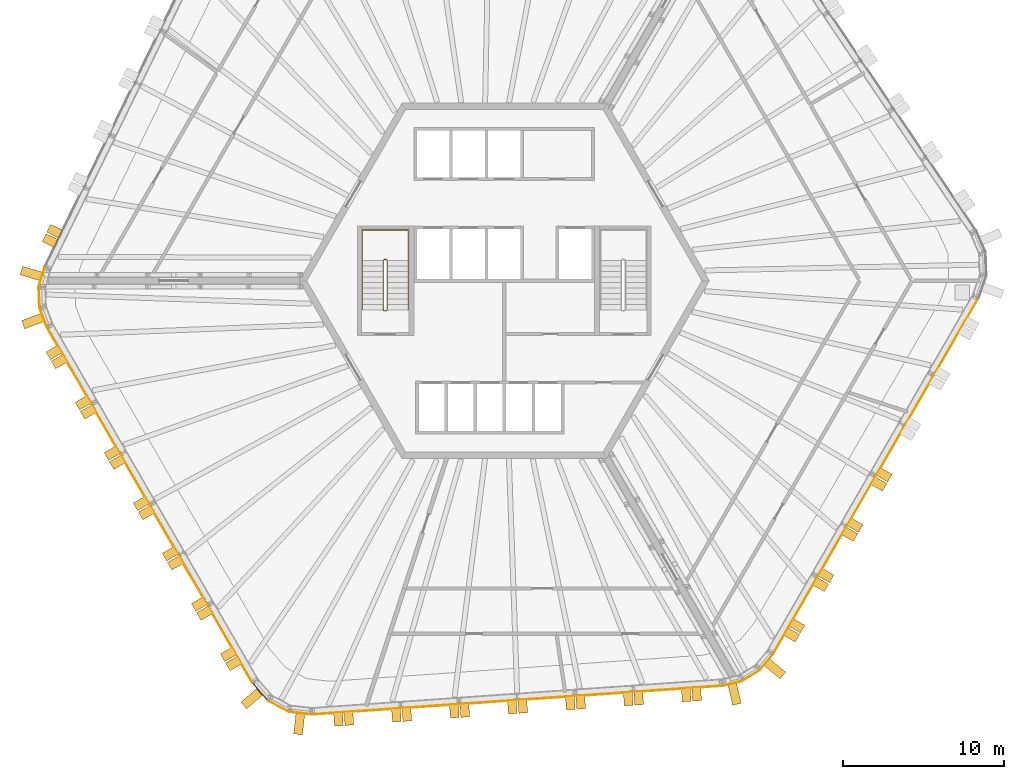
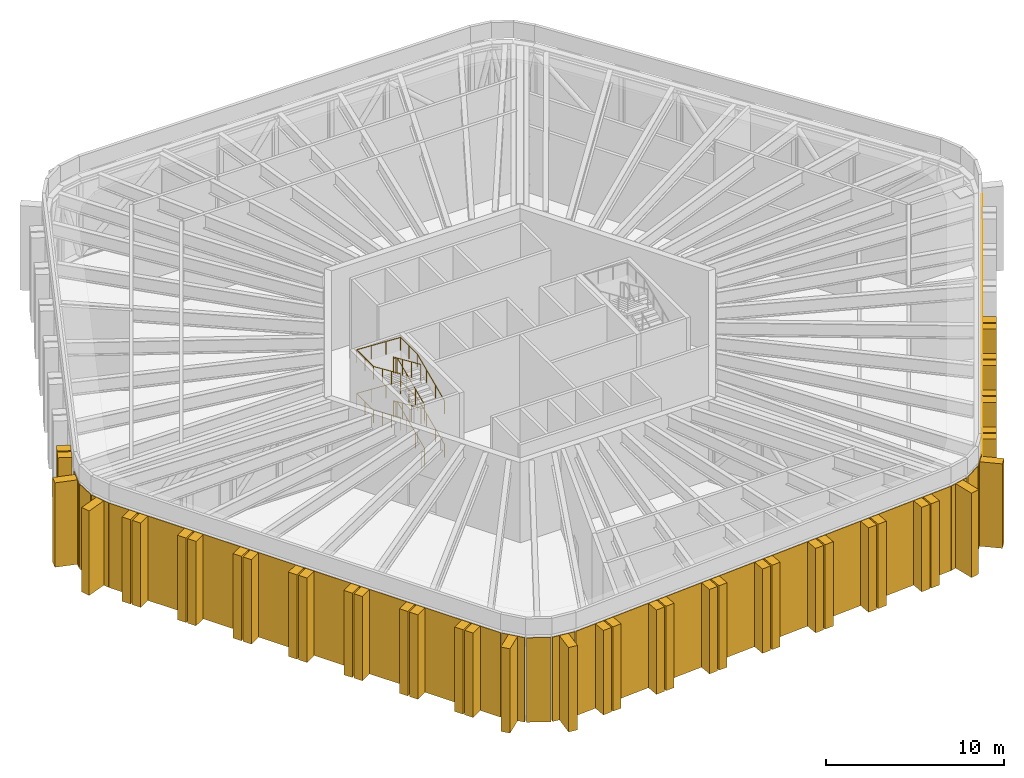
# One storey, part 18 of 19: 56 shading devices, 3 railings.
"""IFC4 building model written with IfcOpenShell, lengths in metres."""

from ifc_helpers import new_model, si_unit, direction, frame, origin, origin_2d, place, context, subcontext, project, spatial, polyline, circle, outline, extrude, material, layer, layer_set, type_object, element, save


model = new_model("IFC4")

# Units and contexts
model_context = context("Model", 3, precision=1e-05, world=origin(), true_north=direction((0.0, 1.0)))
body_context = subcontext(model_context, "Body", "Model", "MODEL_VIEW")
ifc_project = project(units=[si_unit("LENGTHUNIT", "METRE"), si_unit("AREAUNIT", "SQUARE_METRE"), si_unit("VOLUMEUNIT", "CUBIC_METRE"), si_unit("PLANEANGLEUNIT", "RADIAN"), si_unit("MASSUNIT", "GRAM", prefix="KILO")], contexts=[model_context])

# Site, building, storey
site_placement = place(None, origin())
site = spatial("IfcSite", under=ifc_project, at=site_placement, CompositionType="ELEMENT")
building_placement = place(site_placement, origin())
building = spatial("IfcBuilding", under=site, at=building_placement, Name="Tarnside Tower", CompositionType="ELEMENT")
storey_placement = place(building_placement, frame((0.0, 0.0, 343.5)))
storey = spatial("IfcBuildingStorey", under=building, at=storey_placement, Name="L83", CompositionType="ELEMENT", Elevation=343.5)

# Shading devices
ifc_material_1 = material(Name="Aluminium alloy 6063 louvre", Category="aluminium")
shading_device_type_1 = type_object("IfcShadingDeviceType", Name="Louvre panel 48", PredefinedType="USERDEFINED", material=ifc_material_1)
for number, where, z_axis, x_axis, name in (
    (1, (-28.63916015625, 0.24951171875, -0.300048828125), (0.286850027874, 0.957975501518, 0.0), (-0.957975501518, 0.286850027874, 0.0), "Louvre L83 006"),
    (2, (-28.80078125, -1.005859375, -0.300048828125), (-0.034940810137, 0.999389383467, 0.0), (-0.999389383467, -0.034940810137, 0.0), "Louvre L83 007"),
    (3, (-28.55224609375, -2.24658203125, -0.300048828125), (-0.352861714695, 0.935675483435, 0.0), (-0.935675483435, -0.352861714695, 0.0), "Louvre L83 008"),
):
    element("IfcShadingDevice", number, at=place(storey_placement, frame(where, z_axis=z_axis, x_axis=x_axis)), inside=storey, type_object=shading_device_type_1, Name=name, ObjectType="LOUVRE", PredefinedType="USERDEFINED", context=body_context, shape_type="SweptSolid", body=[
        extrude(outline(polyline([(0.0, 0.0), (0.048583984375, 0.0), (0.048583984375, 5.800048828125), (0.0, 5.800048828125), (0.0, 0.0)])), frame((0.0, 0.0, -0.608154296875)), (0.0, 0.0, 1.0), 1.21630859375),
    ])
shading_device_1_placement = place(storey_placement, frame((-21.96240234375, -13.86328125, -0.300048828125), z_axis=(-0.500000735072, 0.86602497939, 0.0), x_axis=(-0.86602497939, -0.500000735072, 0.0)))
element("IfcShadingDevice", 4, at=shading_device_1_placement, inside=storey, type_object=shading_device_type_1, Name="Louvre L83 009", ObjectType="LOUVRE", PredefinedType="USERDEFINED", context=body_context, shape_type="SweptSolid", body=[
    extrude(outline(polyline([(0.0, 0.0), (0.048583984375, 0.0), (0.048583984375, 5.800048828125), (0.0, 5.800048828125), (0.0, 0.0)])), frame((0.0, 0.0, -12.722412109375)), (0.0, 0.0, 1.0), 25.44482421875),
])
shading_device_2_placement = place(storey_placement, frame((-15.127197265625, -25.438232421875, -0.300048828125), z_axis=(-0.651668972197, 0.758503494175, 0.0), x_axis=(-0.758503494175, -0.651668972197, 0.0)))
element("IfcShadingDevice", 5, at=shading_device_2_placement, inside=storey, type_object=shading_device_type_1, Name="Louvre L83 010", ObjectType="LOUVRE", PredefinedType="USERDEFINED", context=body_context, shape_type="SweptSolid", body=[
    extrude(outline(polyline([(0.0, 0.0), (0.048583984375, 0.0), (0.048583984375, 5.800048828125), (0.0, 5.800048828125), (0.0, 0.0)])), frame((0.0, 0.0, -0.694091796875)), (0.0, 0.0, 1.0), 1.38818359375),
])
shading_device_3_placement = place(storey_placement, frame((-14.003662109375, -26.337158203125, -0.300048828125), z_axis=(-0.882938462633, 0.469488733841, 0.0), x_axis=(-0.469488733841, -0.882938462633, 0.0)))
element("IfcShadingDevice", 6, at=shading_device_3_placement, inside=storey, type_object=shading_device_type_1, Name="Louvre L83 011", ObjectType="LOUVRE", PredefinedType="USERDEFINED", context=body_context, shape_type="SweptSolid", body=[
    extrude(outline(polyline([(0.0, 0.0), (0.048583984375, 0.0), (0.048583984375, 5.800048828125), (0.0, 5.800048828125), (0.0, 0.0)])), frame((0.0, 0.0, -0.6943359375)), (0.0, 0.0, 1.0), 1.388427734375),
])
shading_device_4_placement = place(storey_placement, frame((-12.630126953125, -26.765869140625, -0.300048828125), z_axis=(-0.993243224994, 0.116051264546, 0.0), x_axis=(-0.116051264546, -0.993243224994, 0.0)))
element("IfcShadingDevice", 7, at=shading_device_4_placement, inside=storey, type_object=shading_device_type_1, Name="Louvre L83 012", ObjectType="LOUVRE", PredefinedType="USERDEFINED", context=body_context, shape_type="SweptSolid", body=[
    extrude(outline(polyline([(0.0, 0.0), (0.048583984375, 0.0), (0.048583984375, 5.800048828125), (0.0, 5.800048828125), (0.0, 0.0)])), frame((0.0, 0.0, -0.694091796875)), (0.0, 0.0, 1.0), 1.38818359375),
])
shading_device_5_placement = place(storey_placement, frame((0.7880859375, -25.959716796875, -0.300048828125), z_axis=(-0.99756413583, -0.069755250028, 0.0), x_axis=(0.069755250028, -0.99756413583, 0.0)))
element("IfcShadingDevice", 8, at=shading_device_5_placement, inside=storey, type_object=shading_device_type_1, Name="Louvre L83 013", ObjectType="LOUVRE", PredefinedType="USERDEFINED", context=body_context, shape_type="SweptSolid", body=[
    extrude(outline(polyline([(0.0, 0.0), (0.048583984375, 0.0), (0.048583984375, 5.800048828125), (0.0, 5.800048828125), (0.0, 0.0)])), frame((0.0, 0.0, -12.72216796875)), (0.0, 0.0, 1.0), 25.444580078125),
])
for number, where, z_axis, x_axis, name in (
    (9, (14.103515625, -24.927001953125, -0.300048828125), (-0.973048256275, -0.230601584902, 0.0), (0.230601584902, -0.973048256275, 0.0), "Louvre L83 014"),
    (10, (15.271484375, -24.439453125, -0.300048828125), (-0.848030633515, -0.529947209277, 0.0), (0.529947209277, -0.848030633515, 0.0), "Louvre L83 015"),
    (11, (16.2216796875, -23.603515625, -0.300048828125), (-0.633855400334, -0.773451570214, 0.0), (0.773451570214, -0.633855400334, 0.0), "Louvre L83 016"),
):
    element("IfcShadingDevice", number, at=place(storey_placement, frame(where, z_axis=z_axis, x_axis=x_axis)), inside=storey, type_object=shading_device_type_1, Name=name, ObjectType="LOUVRE", PredefinedType="USERDEFINED", context=body_context, shape_type="SweptSolid", body=[
        extrude(outline(polyline([(0.0, 0.0), (0.048583984375, 0.0), (0.048583984375, 5.800048828125), (0.0, 5.800048828125), (0.0, 0.0)])), frame((0.0, 0.0, -0.608154296875)), (0.0, 0.0, 1.0), 1.21630859375),
    ])
shading_device_6_placement = place(storey_placement, frame((22.987060546875, -12.088134765625, -0.300048828125), z_axis=(-0.499997787496, -0.866026681171, 0.0), x_axis=(0.866026681171, -0.499997787496, 0.0)))
element("IfcShadingDevice", 12, at=shading_device_6_placement, inside=storey, type_object=shading_device_type_1, Name="Louvre L83 017", ObjectType="LOUVRE", PredefinedType="USERDEFINED", context=body_context, shape_type="SweptSolid", body=[
    extrude(outline(polyline([(0.0, 0.0), (0.048583984375, 0.0), (0.048583984375, 5.800048828125), (0.0, 5.800048828125), (0.0, 0.0)])), frame((0.0, 0.0, -12.722412109375)), (0.0, 0.0, 1.0), 25.44482421875),
])
ifc_material_2 = material(Name="Concrete C50/60 white precast", Category="concrete")
ifc_layer_1 = layer(ifc_material_2, 0.550048828125)
ifc_layer_set_1 = layer_set([ifc_layer_1], Name="Precast fin 550 x 1300")
shading_device_type_2 = type_object("IfcShadingDeviceType", Name="Precast fin 550 x 1300", PredefinedType="USERDEFINED", material=ifc_layer_set_1)
for number, where, z_axis, x_axis, name in (
    (13, (-28.685791015625, 0.263427734375, -0.300048828125), (0.286803232717, 0.957989512314, 0.0), (-0.957989512314, 0.286803232717, 0.0), "Precast fin"),
    (14, (-28.597412109375, -2.263671875, -0.300048828125), (-0.352930564719, 0.935649515837, 0.0), (-0.935649515837, -0.352930564719, 0.0), "Precast fin"),
    (15, (-15.163818359375, -25.4697265625, -0.300048828125), (-0.651657228826, 0.758513583345, 0.0), (-0.758513583345, -0.651657228826, 0.0), "Precast fin"),
    (16, (-12.6357421875, -26.81396484375, -0.300048828125), (-0.993238357741, 0.116092914131, 0.0), (-0.116092914131, -0.993238357741, 0.0), "Precast fin"),
    (17, (14.11474609375, -24.974365234375, -0.300048828125), (-0.973044870581, -0.230615870737, 0.0), (0.230615870737, -0.973044870581, 0.0), "Precast fin"),
    (18, (16.25927734375, -23.63427734375, -0.300048828125), (-0.633830967394, -0.773471592738, 0.0), (0.773471592738, -0.633830967394, 0.0), "Precast fin"),
):
    element("IfcShadingDevice", number, at=place(storey_placement, frame(where, z_axis=z_axis, x_axis=x_axis)), inside=storey, type_object=shading_device_type_2, Name=name, ObjectType="FIN", PredefinedType="USERDEFINED", context=body_context, shape_type="SweptSolid", body=[
        extrude(outline(polyline([(0.0, 0.0), (1.300048828125, 0.0), (1.300048828125, 5.800048828125), (0.0, 5.800048828125), (0.0, 0.0)])), frame((0.0, 0.0, -0.27490234375)), (0.0, 0.0, 1.0), 0.550048828125),
    ])
ifc_layer_2 = layer(ifc_material_2, 0.550048828125)
ifc_layer_set_2 = layer_set([ifc_layer_2], Name="Precast fin 550 x 800")
shading_device_type_3 = type_object("IfcShadingDeviceType", Name="Precast fin 550 x 800", PredefinedType="USERDEFINED", material=ifc_layer_set_2)
for number, where, z_axis, x_axis, name in (
    (19, (-27.511474609375, 2.90380859375, -0.300048828125), (0.438371146789, 0.898794046299, 0.0), (-0.898794046299, 0.438371146789, 0.0), "Precast fin"),
    (20, (-27.79638671875, 2.319580078125, -0.300048828125), (0.438371146789, 0.898794046299, 0.0), (-0.898794046299, 0.438371146789, 0.0), "Precast fin"),
    (21, (-27.566650390625, -4.2529296875, -0.300048828125), (-0.5, 0.866025403784, 0.0), (-0.866025403784, -0.5, 0.0), "Precast fin"),
    (22, (-27.24169921875, -4.81591796875, -0.300048828125), (-0.5, 0.866025403784, 0.0), (-0.866025403784, -0.5, 0.0), "Precast fin"),
    (23, (-25.766845703125, -7.37060546875, -0.300048828125), (-0.5, 0.866025403784, 0.0), (-0.866025403784, -0.5, 0.0), "Precast fin"),
    (24, (-25.441650390625, -7.93359375, -0.300048828125), (-0.5, 0.866025403784, 0.0), (-0.866025403784, -0.5, 0.0), "Precast fin"),
    (25, (-23.966796875, -10.48828125, -0.300048828125), (-0.5, 0.866025403784, 0.0), (-0.866025403784, -0.5, 0.0), "Precast fin"),
    (26, (-23.641845703125, -11.05126953125, -0.300048828125), (-0.5, 0.866025403784, 0.0), (-0.866025403784, -0.5, 0.0), "Precast fin"),
    (27, (-22.166748046875, -13.60595703125, -0.300048828125), (-0.5, 0.866025403784, 0.0), (-0.866025403784, -0.5, 0.0), "Precast fin"),
    (28, (-21.841796875, -14.1689453125, -0.300048828125), (-0.5, 0.866025403784, 0.0), (-0.866025403784, -0.5, 0.0), "Precast fin"),
    (29, (-20.36669921875, -16.7236328125, -0.300048828125), (-0.5, 0.866025403784, 0.0), (-0.866025403784, -0.5, 0.0), "Precast fin"),
    (30, (-20.041748046875, -17.28662109375, -0.300048828125), (-0.5, 0.866025403784, 0.0), (-0.866025403784, -0.5, 0.0), "Precast fin"),
    (31, (-18.566650390625, -19.84130859375, -0.300048828125), (-0.5, 0.866025403784, 0.0), (-0.866025403784, -0.5, 0.0), "Precast fin"),
    (32, (-18.24169921875, -20.404296875, -0.300048828125), (-0.5, 0.866025403784, 0.0), (-0.866025403784, -0.5, 0.0), "Precast fin"),
    (33, (-16.766845703125, -22.959228515625, -0.300048828125), (-0.5, 0.866025403784, 0.0), (-0.866025403784, -0.5, 0.0), "Precast fin"),
    (34, (-16.441650390625, -23.52197265625, -0.300048828125), (-0.5, 0.866025403784, 0.0), (-0.866025403784, -0.5, 0.0), "Precast fin"),
    (35, (-10.306396484375, -26.7841796875, -0.300048828125), (-0.99756405026, -0.069756473744, 0.0), (0.069756473744, -0.99756405026, 0.0), "Precast fin"),
    (36, (-9.657958984375, -26.73876953125, -0.300048828125), (-0.99756405026, -0.069756473744, 0.0), (0.069756473744, -0.99756405026, 0.0), "Precast fin"),
    (37, (-6.71533203125, -26.532958984375, -0.300048828125), (-0.99756405026, -0.069756473744, 0.0), (0.069756473744, -0.99756405026, 0.0), "Precast fin"),
    (38, (-6.06689453125, -26.48779296875, -0.300048828125), (-0.99756405026, -0.069756473744, 0.0), (0.069756473744, -0.99756405026, 0.0), "Precast fin"),
    (39, (-3.1240234375, -26.281982421875, -0.300048828125), (-0.99756405026, -0.069756473744, 0.0), (0.069756473744, -0.99756405026, 0.0), "Precast fin"),
    (40, (-2.4755859375, -26.236572265625, -0.300048828125), (-0.99756405026, -0.069756473744, 0.0), (0.069756473744, -0.99756405026, 0.0), "Precast fin"),
    (41, (0.46728515625, -26.03076171875, -0.300048828125), (-0.99756405026, -0.069756473744, 0.0), (0.069756473744, -0.99756405026, 0.0), "Precast fin"),
    (42, (1.11572265625, -25.985595703125, -0.300048828125), (-0.99756405026, -0.069756473744, 0.0), (0.069756473744, -0.99756405026, 0.0), "Precast fin"),
    (43, (4.058349609375, -25.77978515625, -0.300048828125), (-0.99756405026, -0.069756473744, 0.0), (0.069756473744, -0.99756405026, 0.0), "Precast fin"),
    (44, (4.706787109375, -25.734375, -0.300048828125), (-0.99756405026, -0.069756473744, 0.0), (0.069756473744, -0.99756405026, 0.0), "Precast fin"),
    (45, (7.649658203125, -25.528564453125, -0.300048828125), (-0.99756405026, -0.069756473744, 0.0), (0.069756473744, -0.99756405026, 0.0), "Precast fin"),
    (46, (8.298095703125, -25.483154296875, -0.300048828125), (-0.99756405026, -0.069756473744, 0.0), (0.069756473744, -0.99756405026, 0.0), "Precast fin"),
    (47, (11.240966796875, -25.27734375, -0.300048828125), (-0.99756405026, -0.069756473744, 0.0), (0.069756473744, -0.99756405026, 0.0), "Precast fin"),
    (48, (11.889404296875, -25.232177734375, -0.300048828125), (-0.99756405026, -0.069756473744, 0.0), (0.069756473744, -0.99756405026, 0.0), "Precast fin"),
    (49, (17.466552734375, -21.7470703125, -0.300048828125), (-0.5, -0.866025403784, 0.0), (0.866025403784, -0.5, 0.0), "Precast fin"),
    (50, (17.79150390625, -21.18408203125, -0.300048828125), (-0.5, -0.866025403784, 0.0), (0.866025403784, -0.5, 0.0), "Precast fin"),
    (51, (19.2666015625, -18.62939453125, -0.300048828125), (-0.5, -0.866025403784, 0.0), (0.866025403784, -0.5, 0.0), "Precast fin"),
    (52, (19.591552734375, -18.06640625, -0.300048828125), (-0.5, -0.866025403784, 0.0), (0.866025403784, -0.5, 0.0), "Precast fin"),
    (53, (21.066650390625, -15.51171875, -0.300048828125), (-0.5, -0.866025403784, 0.0), (0.866025403784, -0.5, 0.0), "Precast fin"),
    (54, (21.3916015625, -14.94873046875, -0.300048828125), (-0.5, -0.866025403784, 0.0), (0.866025403784, -0.5, 0.0), "Precast fin"),
    (55, (22.866455078125, -12.39404296875, -0.300048828125), (-0.5, -0.866025403784, 0.0), (0.866025403784, -0.5, 0.0), "Precast fin"),
    (56, (23.191650390625, -11.8310546875, -0.300048828125), (-0.5, -0.866025403784, 0.0), (0.866025403784, -0.5, 0.0), "Precast fin"),
):
    element("IfcShadingDevice", number, at=place(storey_placement, frame(where, z_axis=z_axis, x_axis=x_axis)), inside=storey, type_object=shading_device_type_3, Name=name, ObjectType="FIN", PredefinedType="USERDEFINED", context=body_context, shape_type="SweptSolid", body=[
        extrude(outline(polyline([(0.0, 0.0), (0.800048828125, 0.0), (0.800048828125, 5.800048828125), (0.0, 5.800048828125), (0.0, 0.0)])), frame((0.0, 0.0, -0.27490234375)), (0.0, 0.0, 1.0), 0.550048828125),
    ])

# Railings
ifc_material_3 = material(Name="Stainless steel", Category="steel")
railing_type_1 = type_object("IfcRailingType", Name="Stair guard 1100", PredefinedType="GUARDRAIL", material=ifc_material_3)
railing_1_placement = place(storey_placement, frame((-7.449951171875, -1.85009765625, 0.0)))
element("IfcRailing", 57, at=railing_1_placement, inside=storey, type_object=railing_type_1, Name="L83 ST2 stair guard 1", PredefinedType="GUARDRAIL", context=body_context, shape_type="SweptSolid", body=[
    extrude(circle(Radius=0.02392578125, at=origin_2d()), frame((0.0, 0.0, 1.076171875), z_axis=(1.0, 0.0, 0.0), x_axis=(0.0, 1.0, 0.0)), (0.0, 0.0, 1.0), 0.14990234375),
    extrude(circle(Radius=0.02392578125, at=origin_2d()), frame((0.14990234375, 0.0, 1.076171875), z_axis=(0.301912943143, 0.301912943143, 0.904266083366), x_axis=(-0.707106781187, 0.707106781187, 0.0)), (0.0, 0.0, 1.0), 0.165771484375),
    extrude(circle(Radius=0.02392578125, at=origin_2d()), frame((0.199951171875, 0.050048828125, 1.22607421875), z_axis=(0.0, 0.914909872985, 0.403658177565), x_axis=(-1.0, 0.0, 0.0)), (0.0, 0.0, 1.0), 3.3447265625),
    extrude(circle(Radius=0.02392578125, at=origin_2d()), frame((0.199951171875, 3.110107421875, 2.576171875), z_axis=(-0.707106781187, 0.707106781187, 0.0), x_axis=(-0.707106781187, -0.707106781187, 0.0)), (0.0, 0.0, 1.0), 0.07080078125),
    extrude(circle(Radius=0.02392578125, at=origin_2d()), frame((0.14990234375, 3.16015625, 2.576171875), z_axis=(-1.0, 0.0, 0.0), x_axis=(0.0, -1.0, 0.0)), (0.0, 0.0, 1.0), 0.14990234375),
    extrude(circle(Radius=0.02392578125, at=origin_2d()), frame((0.0, 3.16015625, 2.576171875), z_axis=(-0.301912943143, -0.301912943143, 0.904266083366), x_axis=(0.707106781187, -0.707106781187, 0.0)), (0.0, 0.0, 1.0), 0.165771484375),
    extrude(circle(Radius=0.02392578125, at=origin_2d()), frame((-0.050048828125, 3.110107421875, 2.72607421875), z_axis=(0.0, -0.914909872985, 0.403658177565), x_axis=(1.0, 0.0, 0.0)), (0.0, 0.0, 1.0), 3.3447265625),
    extrude(circle(Radius=0.02392578125, at=origin_2d()), frame((-0.050048828125, 0.050048828125, 4.076171875), z_axis=(0.707106781187, -0.707106781187, 0.0), x_axis=(0.707106781187, 0.707106781187, 0.0)), (0.0, 0.0, 1.0), 0.07080078125),
    extrude(circle(Radius=0.02392578125, at=origin_2d()), frame((0.0, 0.0, 4.076171875), z_axis=(1.0, 0.0, 0.0), x_axis=(0.0, 1.0, 0.0)), (0.0, 0.0, 1.0), 0.14990234375),
    extrude(circle(Radius=0.02392578125, at=origin_2d()), frame((0.14990234375, 0.0, 4.076171875), z_axis=(0.301912943143, 0.301912943143, 0.904266083366), x_axis=(-0.707106781187, 0.707106781187, 0.0)), (0.0, 0.0, 1.0), 0.165771484375),
    extrude(circle(Radius=0.02392578125, at=origin_2d()), frame((0.199951171875, 0.050048828125, 4.22607421875), z_axis=(0.0, 0.914909872985, 0.403658177565), x_axis=(-1.0, 0.0, 0.0)), (0.0, 0.0, 1.0), 3.3447265625),
    extrude(circle(Radius=0.02392578125, at=origin_2d()), frame((0.199951171875, 3.110107421875, 5.576171875), z_axis=(-0.707106781187, 0.707106781187, 0.0), x_axis=(-0.707106781187, -0.707106781187, 0.0)), (0.0, 0.0, 1.0), 0.07080078125),
    extrude(circle(Radius=0.02392578125, at=origin_2d()), frame((0.14990234375, 3.16015625, 5.576171875), z_axis=(-1.0, 0.0, 0.0), x_axis=(0.0, -1.0, 0.0)), (0.0, 0.0, 1.0), 0.14990234375),
    extrude(circle(Radius=0.02392578125, at=origin_2d()), frame((0.0, 3.16015625, 5.576171875), z_axis=(-0.301912943143, -0.301912943143, 0.904266083366), x_axis=(0.707106781187, -0.707106781187, 0.0)), (0.0, 0.0, 1.0), 0.165771484375),
    extrude(circle(Radius=0.02392578125, at=origin_2d()), frame((-0.050048828125, 3.110107421875, 5.72607421875), z_axis=(0.0, -0.914909872985, 0.403658177565), x_axis=(1.0, 0.0, 0.0)), (0.0, 0.0, 1.0), 3.3447265625),
    extrude(circle(Radius=0.02099609375, at=origin_2d()), origin(), (0.0, 0.0, 1.0), 1.052001953125),
    extrude(circle(Radius=0.02099609375, at=origin_2d()), frame((0.14990234375, 0.0, 0.0)), (0.0, 0.0, 1.0), 1.052001953125),
    extrude(circle(Radius=0.02099609375, at=origin_2d()), frame((0.199951171875, 0.050048828125, 0.14990234375)), (0.0, 0.0, 1.0), 1.052001953125),
    extrude(circle(Radius=0.02099609375, at=origin_2d()), frame((0.199951171875, 1.070068359375, 0.599853515625)), (0.0, 0.0, 1.0), 1.052001953125),
    extrude(circle(Radius=0.02099609375, at=origin_2d()), frame((0.199951171875, 2.090087890625, 1.050048828125)), (0.0, 0.0, 1.0), 1.052001953125),
    extrude(circle(Radius=0.02099609375, at=origin_2d()), frame((0.199951171875, 3.110107421875, 1.5)), (0.0, 0.0, 1.0), 1.052001953125),
    extrude(circle(Radius=0.02099609375, at=origin_2d()), frame((0.14990234375, 3.16015625, 1.5)), (0.0, 0.0, 1.0), 1.052001953125),
    extrude(circle(Radius=0.02099609375, at=origin_2d()), frame((0.0, 3.16015625, 1.5)), (0.0, 0.0, 1.0), 1.052001953125),
    extrude(circle(Radius=0.02099609375, at=origin_2d()), frame((-0.050048828125, 3.110107421875, 1.64990234375)), (0.0, 0.0, 1.0), 1.052001953125),
    extrude(circle(Radius=0.02099609375, at=origin_2d()), frame((-0.050048828125, 2.090087890625, 2.099853515625)), (0.0, 0.0, 1.0), 1.052001953125),
    extrude(circle(Radius=0.02099609375, at=origin_2d()), frame((-0.050048828125, 1.070068359375, 2.550048828125)), (0.0, 0.0, 1.0), 1.052001953125),
    extrude(circle(Radius=0.02099609375, at=origin_2d()), frame((-0.050048828125, 0.050048828125, 3.0)), (0.0, 0.0, 1.0), 1.052001953125),
    extrude(circle(Radius=0.02099609375, at=origin_2d()), frame((0.0, 0.0, 3.0)), (0.0, 0.0, 1.0), 1.052001953125),
    extrude(circle(Radius=0.02099609375, at=origin_2d()), frame((0.14990234375, 0.0, 3.0)), (0.0, 0.0, 1.0), 1.052001953125),
    extrude(circle(Radius=0.02099609375, at=origin_2d()), frame((0.199951171875, 0.050048828125, 3.14990234375)), (0.0, 0.0, 1.0), 1.052001953125),
    extrude(circle(Radius=0.02099609375, at=origin_2d()), frame((0.199951171875, 1.070068359375, 3.599853515625)), (0.0, 0.0, 1.0), 1.052001953125),
    extrude(circle(Radius=0.02099609375, at=origin_2d()), frame((0.199951171875, 2.090087890625, 4.050048828125)), (0.0, 0.0, 1.0), 1.052001953125),
    extrude(circle(Radius=0.02099609375, at=origin_2d()), frame((0.199951171875, 3.110107421875, 4.5)), (0.0, 0.0, 1.0), 1.052001953125),
    extrude(circle(Radius=0.02099609375, at=origin_2d()), frame((0.14990234375, 3.16015625, 4.5)), (0.0, 0.0, 1.0), 1.052001953125),
    extrude(circle(Radius=0.02099609375, at=origin_2d()), frame((0.0, 3.16015625, 4.5)), (0.0, 0.0, 1.0), 1.052001953125),
    extrude(circle(Radius=0.02099609375, at=origin_2d()), frame((-0.050048828125, 3.110107421875, 4.64990234375)), (0.0, 0.0, 1.0), 1.052001953125),
    extrude(circle(Radius=0.02099609375, at=origin_2d()), frame((-0.050048828125, 2.090087890625, 5.099853515625)), (0.0, 0.0, 1.0), 1.052001953125),
    extrude(circle(Radius=0.02099609375, at=origin_2d()), frame((-0.050048828125, 1.070068359375, 5.550048828125)), (0.0, 0.0, 1.0), 1.052001953125),
    extrude(circle(Radius=0.02099609375, at=origin_2d()), frame((-0.050048828125, 0.050048828125, 6.0)), (0.0, 0.0, 1.0), 1.052001953125),
])
railing_type_2 = type_object("IfcRailingType", Name="Stair handrail 900", PredefinedType="HANDRAIL", material=ifc_material_3)
railing_2_placement = place(storey_placement, frame((-5.949951171875, -1.800048828125, 0.14990234375)))
element("IfcRailing", 58, at=railing_2_placement, inside=storey, type_object=railing_type_2, Name="L83 ST2 stair handrail 1", PredefinedType="HANDRAIL", context=body_context, shape_type="SweptSolid", body=[
    extrude(circle(Radius=0.02392578125, at=origin_2d()), frame((0.0, 0.0, 0.8857421875), z_axis=(0.0, 0.914909872985, 0.403658177565), x_axis=(-1.0, 0.0, 0.0)), (0.0, 0.0, 1.0), 3.3447265625),
    extrude(circle(Radius=0.02392578125, at=origin_2d()), frame((0.0, 3.06005859375, 2.23583984375), z_axis=(0.0, 1.0, 0.0), x_axis=(-1.0, 0.0, 0.0)), (0.0, 0.0, 1.0), 1.889892578125),
    extrude(circle(Radius=0.02392578125, at=origin_2d()), frame((0.0, 4.949951171875, 2.23583984375), z_axis=(-0.998619719122, 0.0, 0.052522914814), x_axis=(0.0, -1.0, 0.0)), (0.0, 0.0, 1.0), 2.85400390625),
    extrude(circle(Radius=0.02392578125, at=origin_2d()), frame((-2.85009765625, 4.949951171875, 2.3857421875), z_axis=(0.0, -1.0, 0.0), x_axis=(1.0, 0.0, 0.0)), (0.0, 0.0, 1.0), 1.889892578125),
    extrude(circle(Radius=0.02392578125, at=origin_2d()), frame((-2.85009765625, 3.06005859375, 2.3857421875), z_axis=(0.0, -0.914909872985, 0.403658177565), x_axis=(1.0, 0.0, 0.0)), (0.0, 0.0, 1.0), 3.3447265625),
    extrude(circle(Radius=0.02099609375, at=origin_2d()), origin(), (0.0, 0.0, 1.0), 0.86181640625),
    extrude(circle(Radius=0.02099609375, at=origin_2d()), frame((0.0, 1.02001953125, 0.449951171875)), (0.0, 0.0, 1.0), 0.86181640625),
    extrude(circle(Radius=0.02099609375, at=origin_2d()), frame((0.0, 2.0400390625, 0.900146484375)), (0.0, 0.0, 1.0), 0.86181640625),
    extrude(circle(Radius=0.02099609375, at=origin_2d()), frame((0.0, 3.06005859375, 1.35009765625)), (0.0, 0.0, 1.0), 0.86181640625),
    extrude(circle(Radius=0.02099609375, at=origin_2d()), frame((0.0, 4.0048828125, 1.35009765625)), (0.0, 0.0, 1.0), 0.86181640625),
    extrude(circle(Radius=0.02099609375, at=origin_2d()), frame((0.0, 4.949951171875, 1.35009765625)), (0.0, 0.0, 1.0), 0.86181640625),
    extrude(circle(Radius=0.02099609375, at=origin_2d()), frame((-0.949951171875, 4.949951171875, 1.400146484375)), (0.0, 0.0, 1.0), 0.86181640625),
    extrude(circle(Radius=0.02099609375, at=origin_2d()), frame((-1.900146484375, 4.949951171875, 1.449951171875)), (0.0, 0.0, 1.0), 0.86181640625),
    extrude(circle(Radius=0.02099609375, at=origin_2d()), frame((-2.85009765625, 4.949951171875, 1.5)), (0.0, 0.0, 1.0), 0.86181640625),
    extrude(circle(Radius=0.02099609375, at=origin_2d()), frame((-2.85009765625, 4.0048828125, 1.5)), (0.0, 0.0, 1.0), 0.86181640625),
    extrude(circle(Radius=0.02099609375, at=origin_2d()), frame((-2.85009765625, 3.06005859375, 1.5)), (0.0, 0.0, 1.0), 0.86181640625),
    extrude(circle(Radius=0.02099609375, at=origin_2d()), frame((-2.85009765625, 2.0400390625, 1.949951171875)), (0.0, 0.0, 1.0), 0.86181640625),
    extrude(circle(Radius=0.02099609375, at=origin_2d()), frame((-2.85009765625, 1.02001953125, 2.400146484375)), (0.0, 0.0, 1.0), 0.86181640625),
    extrude(circle(Radius=0.02099609375, at=origin_2d()), frame((-2.85009765625, 0.0, 2.85009765625)), (0.0, 0.0, 1.0), 0.86181640625),
])
railing_3_placement = place(storey_placement, frame((-5.949951171875, -1.800048828125, 3.14990234375)))
element("IfcRailing", 59, at=railing_3_placement, inside=storey, type_object=railing_type_2, Name="L83 ST2 stair handrail 2", PredefinedType="HANDRAIL", context=body_context, shape_type="SweptSolid", body=[
    extrude(circle(Radius=0.02392578125, at=origin_2d()), frame((0.0, 0.0, 0.8857421875), z_axis=(0.0, 0.914909872985, 0.403658177565), x_axis=(-1.0, 0.0, 0.0)), (0.0, 0.0, 1.0), 3.3447265625),
    extrude(circle(Radius=0.02392578125, at=origin_2d()), frame((0.0, 3.06005859375, 2.23583984375), z_axis=(0.0, 1.0, 0.0), x_axis=(-1.0, 0.0, 0.0)), (0.0, 0.0, 1.0), 1.889892578125),
    extrude(circle(Radius=0.02392578125, at=origin_2d()), frame((0.0, 4.949951171875, 2.23583984375), z_axis=(-0.998619719122, 0.0, 0.052522914814), x_axis=(0.0, -1.0, 0.0)), (0.0, 0.0, 1.0), 2.85400390625),
    extrude(circle(Radius=0.02392578125, at=origin_2d()), frame((-2.85009765625, 4.949951171875, 2.3857421875), z_axis=(0.0, -1.0, 0.0), x_axis=(1.0, 0.0, 0.0)), (0.0, 0.0, 1.0), 1.889892578125),
    extrude(circle(Radius=0.02392578125, at=origin_2d()), frame((-2.85009765625, 3.06005859375, 2.3857421875), z_axis=(0.0, -0.914909872985, 0.403658177565), x_axis=(1.0, 0.0, 0.0)), (0.0, 0.0, 1.0), 3.3447265625),
    extrude(circle(Radius=0.02099609375, at=origin_2d()), origin(), (0.0, 0.0, 1.0), 0.86181640625),
    extrude(circle(Radius=0.02099609375, at=origin_2d()), frame((0.0, 1.02001953125, 0.449951171875)), (0.0, 0.0, 1.0), 0.86181640625),
    extrude(circle(Radius=0.02099609375, at=origin_2d()), frame((0.0, 2.0400390625, 0.900146484375)), (0.0, 0.0, 1.0), 0.86181640625),
    extrude(circle(Radius=0.02099609375, at=origin_2d()), frame((0.0, 3.06005859375, 1.35009765625)), (0.0, 0.0, 1.0), 0.86181640625),
    extrude(circle(Radius=0.02099609375, at=origin_2d()), frame((0.0, 4.0048828125, 1.35009765625)), (0.0, 0.0, 1.0), 0.86181640625),
    extrude(circle(Radius=0.02099609375, at=origin_2d()), frame((0.0, 4.949951171875, 1.35009765625)), (0.0, 0.0, 1.0), 0.86181640625),
    extrude(circle(Radius=0.02099609375, at=origin_2d()), frame((-0.949951171875, 4.949951171875, 1.400146484375)), (0.0, 0.0, 1.0), 0.86181640625),
    extrude(circle(Radius=0.02099609375, at=origin_2d()), frame((-1.900146484375, 4.949951171875, 1.449951171875)), (0.0, 0.0, 1.0), 0.86181640625),
    extrude(circle(Radius=0.02099609375, at=origin_2d()), frame((-2.85009765625, 4.949951171875, 1.5)), (0.0, 0.0, 1.0), 0.86181640625),
    extrude(circle(Radius=0.02099609375, at=origin_2d()), frame((-2.85009765625, 4.0048828125, 1.5)), (0.0, 0.0, 1.0), 0.86181640625),
    extrude(circle(Radius=0.02099609375, at=origin_2d()), frame((-2.85009765625, 3.06005859375, 1.5)), (0.0, 0.0, 1.0), 0.86181640625),
    extrude(circle(Radius=0.02099609375, at=origin_2d()), frame((-2.85009765625, 2.0400390625, 1.949951171875)), (0.0, 0.0, 1.0), 0.86181640625),
    extrude(circle(Radius=0.02099609375, at=origin_2d()), frame((-2.85009765625, 1.02001953125, 2.400146484375)), (0.0, 0.0, 1.0), 0.86181640625),
    extrude(circle(Radius=0.02099609375, at=origin_2d()), frame((-2.85009765625, 0.0, 2.85009765625)), (0.0, 0.0, 1.0), 0.86181640625),
])

save(model, "model.ifc")
